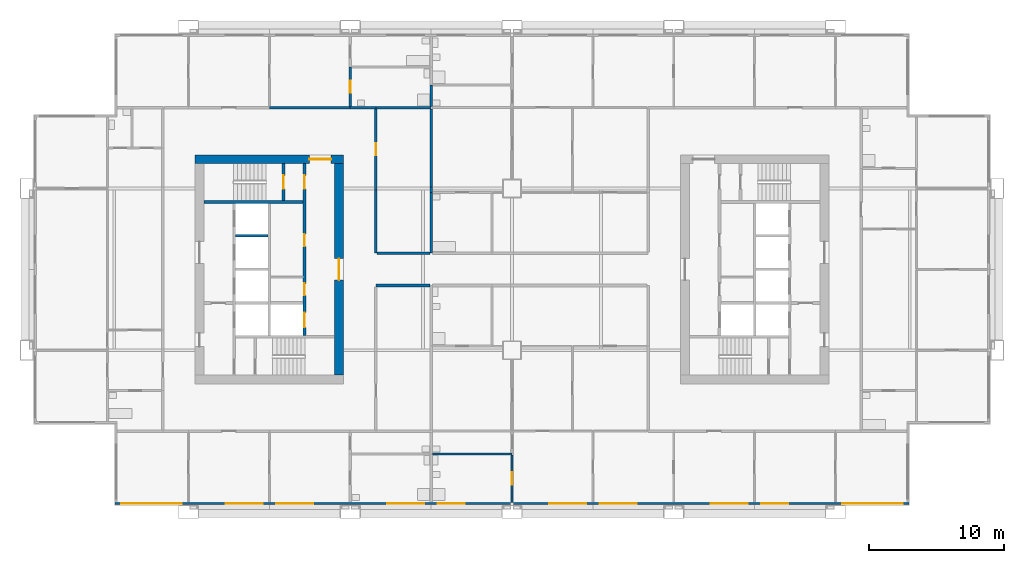
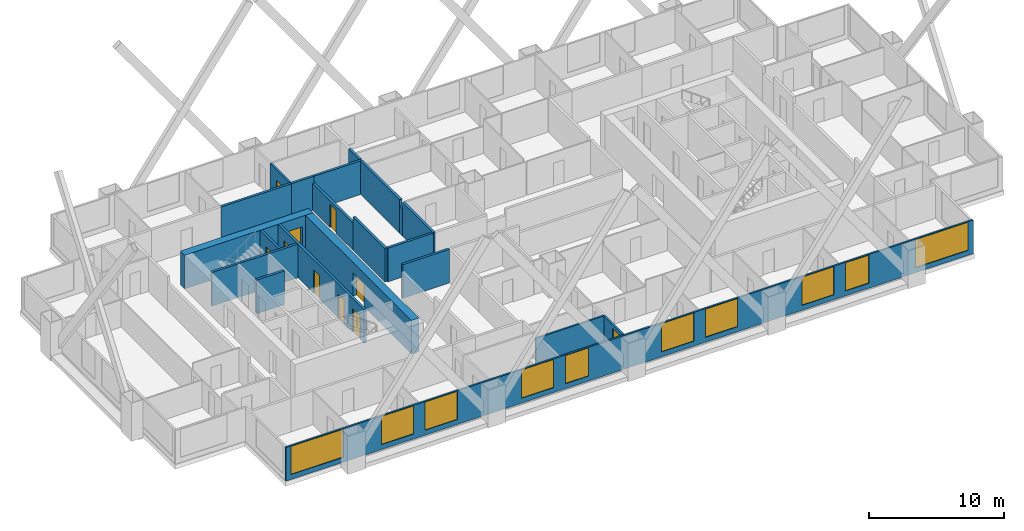
# One storey, part 4 of 11: 21 walls, 10 doors, 10 windows, 20 openings.
"""IFC4 building model written with IfcOpenShell, lengths in metres."""

from ifc_helpers import new_model, si_unit, direction, frame, frame_2d, origin, place, context, subcontext, project, spatial, rectangle, extrude, material, layer, layer_set, type_object, element, fill, save


model = new_model("IFC4")

# Units and contexts
model_context = context("Model", 3, precision=1e-05, world=origin(), true_north=direction((0.0, 1.0)))
body_context = subcontext(model_context, "Body", "Model", "MODEL_VIEW")
ifc_project = project(units=[si_unit("LENGTHUNIT", "METRE"), si_unit("AREAUNIT", "SQUARE_METRE"), si_unit("VOLUMEUNIT", "CUBIC_METRE"), si_unit("PLANEANGLEUNIT", "RADIAN"), si_unit("MASSUNIT", "GRAM", prefix="KILO")], contexts=[model_context])

# Site, building, storey
site_placement = place(None, origin())
site = spatial("IfcSite", under=ifc_project, at=site_placement, CompositionType="ELEMENT")
building_placement = place(site_placement, origin())
building = spatial("IfcBuilding", under=site, at=building_placement, Name="Kitamizu Gate Tower and Museum", CompositionType="ELEMENT")
storey_placement = place(building_placement, frame((0.0, 0.0, 113.85009765625)))
storey = spatial("IfcBuildingStorey", under=building, at=storey_placement, Name="L29", CompositionType="ELEMENT", Elevation=113.85009765625)

# Wall, opening, door
ifc_material_1 = material(Name="Concrete Fc60", Category="concrete")
ifc_layer_1 = layer(ifc_material_1, 0.64990234375)
ifc_layer_set_1 = layer_set([ifc_layer_1], Name="Concrete Fc60")
wall_type_1 = type_object("IfcWallType", Name="Core wall 650", PredefinedType="SHEAR", material=ifc_layer_set_1)
wall_1_placement = place(storey_placement, frame((12.5, 38.175048828125, 0.0), z_axis=(0.0, 0.0, 1.0), x_axis=(1.0, 0.0, 0.0)))
wall_1 = element("IfcWall", 1, at=wall_1_placement, inside=storey, type_object=wall_type_1, Name="Core wall WN", PredefinedType="SHEAR", context=body_context, shape_type="SweptSolid", body=[
    extrude(rectangle(XDim=11.0, YDim=0.64990234375, at=frame_2d((5.5, 0.0))), origin(), (0.0, 0.0, 1.0), 3.0498046875),
])
opening_1_placement = place(wall_1_placement, frame((8.47509765625, 0.0, 0.0)))
opening_1 = element("IfcOpeningElement", 2, at=opening_1_placement, cuts=wall_1, Name="Opening L29-060", PredefinedType="OPENING", context=body_context, shape_type="SweptSolid", body=[
    extrude(rectangle(XDim=1.60009765625, YDim=2.10009765625, at=frame_2d((0.800048828125, 1.050048828125))), frame((0.0, 0.3349609375, 0.0), z_axis=(0.0, -1.0, 0.0), x_axis=(1.0, 0.0, 0.0)), (0.0, 0.0, 1.0), 0.669921875),
])
ifc_material_2 = material(Name="Timber door set", Category="wood")
door_type_1 = type_object("IfcDoorType", Name="Entrance door 1600", OperationType="DOUBLE_DOOR_SINGLE_SWING", PredefinedType="DOOR", material=ifc_material_2)
door_1_placement = place(opening_1_placement, origin())
door_1 = element("IfcDoor", 3, at=door_1_placement, inside=storey, type_object=door_type_1, Name="Lobby door L29-060", OperationType="DOUBLE_DOOR_SINGLE_SWING", OverallHeight=2.10009765625, OverallWidth=1.60009765625, PredefinedType="DOOR", context=body_context, shape_type="SweptSolid", body=[
    extrude(rectangle(XDim=1.60009765625, YDim=2.10009765625, at=frame_2d((0.800048828125, 1.050048828125))), frame((0.0, 0.02490234375, 0.0), z_axis=(0.0, -1.0, 0.0), x_axis=(1.0, 0.0, 0.0)), (0.0, 0.0, 1.0), 0.050048828125),
])
fill(opening_1, door_1)

wall_2_placement = place(storey_placement, frame((23.175048828125, 22.14990234375, 0.0), z_axis=(0.0, 0.0, 1.0), x_axis=(0.0, 1.0, 0.0)))
wall_2 = element("IfcWall", 4, at=wall_2_placement, inside=storey, type_object=wall_type_1, Name="Core wall WARC", PredefinedType="SHEAR", context=body_context, shape_type="SweptSolid", body=[
    extrude(rectangle(XDim=15.7001953125, YDim=0.64990234375, at=frame_2d((7.85009765625, 0.0))), origin(), (0.0, 0.0, 1.0), 3.0498046875),
])
opening_2_placement = place(wall_2_placement, frame((7.050048828125, 0.0, 0.0)))
opening_2 = element("IfcOpeningElement", 5, at=opening_2_placement, cuts=wall_2, Name="Opening L29-061", PredefinedType="OPENING", context=body_context, shape_type="SweptSolid", body=[
    extrude(rectangle(XDim=1.60009765625, YDim=2.10009765625, at=frame_2d((0.800048828125, 1.050048828125))), frame((0.0, 0.3349609375, 0.0), z_axis=(0.0, -1.0, 0.0), x_axis=(1.0, 0.0, 0.0)), (0.0, 0.0, 1.0), 0.669921875),
])
door_2_placement = place(opening_2_placement, origin())
door_2 = element("IfcDoor", 6, at=door_2_placement, inside=storey, type_object=door_type_1, Name="Lobby door L29-061", OperationType="DOUBLE_DOOR_SINGLE_SWING", OverallHeight=2.10009765625, OverallWidth=1.60009765625, PredefinedType="DOOR", context=body_context, shape_type="SweptSolid", body=[
    extrude(rectangle(XDim=1.60009765625, YDim=2.10009765625, at=frame_2d((0.800048828125, 1.050048828125))), frame((0.0, 0.02490234375, 0.0), z_axis=(0.0, -1.0, 0.0), x_axis=(1.0, 0.0, 0.0)), (0.0, 0.0, 1.0), 0.050048828125),
])
fill(opening_2, door_2)

# Wall
ifc_material_3 = material(Name="Gypsum board on galvanised stud")
ifc_layer_2 = layer(ifc_material_3, 0.14990234375)
ifc_layer_set_2 = layer_set([ifc_layer_2], Name="Gypsum board on galvanised stud")
wall_type_2 = type_object("IfcWallType", Name="Partition 150", PredefinedType="PARTITIONING", material=ifc_layer_set_2)
wall_3_placement = place(storey_placement, frame((36.0, 16.320068359375, 0.0), z_axis=(0.0, 0.0, 1.0), x_axis=(-1.0, 0.0, 0.0)))
element("IfcWall", 7, at=wall_3_placement, inside=storey, type_object=wall_type_2, Name="Partition L29-040", PredefinedType="PARTITIONING", context=body_context, shape_type="SweptSolid", body=[
    extrude(rectangle(XDim=5.89990234375, YDim=0.14990234375, at=frame_2d((2.949951171875, 0.0))), origin(), (0.0, 0.0, 1.0), 2.449951171875),
])

# Wall, opening, door
wall_4_placement = place(storey_placement, frame((36.0, 12.719970703125, 0.0), z_axis=(0.0, 0.0, 1.0), x_axis=(0.0, 1.0, 0.0)))
wall_4 = element("IfcWall", 8, at=wall_4_placement, inside=storey, type_object=wall_type_2, Name="Partition L29-041", PredefinedType="PARTITIONING", context=body_context, shape_type="SweptSolid", body=[
    extrude(rectangle(XDim=3.525146484375, YDim=0.14990234375, at=frame_2d((1.7626953125, 0.0))), origin(), (0.0, 0.0, 1.0), 2.449951171875),
])
opening_3_placement = place(wall_4_placement, frame((1.3125, 0.0, 0.0)))
opening_3 = element("IfcOpeningElement", 9, at=opening_3_placement, cuts=wall_4, Name="Opening L29-022", PredefinedType="OPENING", context=body_context, shape_type="SweptSolid", body=[
    extrude(rectangle(XDim=0.89990234375, YDim=2.10009765625, at=frame_2d((0.449951171875, 1.050048828125))), frame((0.0, 0.0849609375, 0.0), z_axis=(0.0, -1.0, 0.0), x_axis=(1.0, 0.0, 0.0)), (0.0, 0.0, 1.0), 0.169921875),
])
ifc_material_4 = material(Name="Timber door set", Category="wood")
door_type_2 = type_object("IfcDoorType", Name="Bathroom door 900", OperationType="NOTDEFINED", PredefinedType="DOOR", material=ifc_material_4)
door_3_placement = place(opening_3_placement, origin())
door_3 = element("IfcDoor", 10, at=door_3_placement, inside=storey, type_object=door_type_2, Name="Bathroom door L29-022", OperationType="SINGLE_SWING_RIGHT", OverallHeight=2.10009765625, OverallWidth=0.89990234375, PredefinedType="DOOR", context=body_context, shape_type="SweptSolid", body=[
    extrude(rectangle(XDim=0.89990234375, YDim=2.10009765625, at=frame_2d((0.449951171875, 1.050048828125))), frame((0.0, 0.02490234375, 0.0), z_axis=(0.0, -1.0, 0.0), x_axis=(1.0, 0.0, 0.0)), (0.0, 0.0, 1.0), 0.050048828125),
])
fill(opening_3, door_3)

wall_5_placement = place(storey_placement, frame((24.0, 42.10009765625, 0.0), z_axis=(0.0, 0.0, 1.0), x_axis=(0.0, 1.0, 0.0)))
wall_5 = element("IfcWall", 11, at=wall_5_placement, inside=storey, type_object=wall_type_2, Name="Partition L29-092", PredefinedType="PARTITIONING", context=body_context, shape_type="SweptSolid", body=[
    extrude(rectangle(XDim=2.89990234375, YDim=0.14990234375, at=frame_2d((1.449951171875, 0.0))), origin(), (0.0, 0.0, 1.0), 3.0498046875),
])
opening_4_placement = place(wall_5_placement, frame((1.0, 0.0, 0.0)))
opening_4 = element("IfcOpeningElement", 12, at=opening_4_placement, cuts=wall_5, Name="Opening L29-037", PredefinedType="OPENING", context=body_context, shape_type="SweptSolid", body=[
    extrude(rectangle(XDim=0.89990234375, YDim=2.10009765625, at=frame_2d((0.449951171875, 1.050048828125))), frame((0.0, 0.0849609375, 0.0), z_axis=(0.0, -1.0, 0.0), x_axis=(1.0, 0.0, 0.0)), (0.0, 0.0, 1.0), 0.169921875),
])
door_4_placement = place(opening_4_placement, frame((0.89990234375, 0.0, 0.0), x_axis=(-1.0, 0.0, 0.0)))
door_4 = element("IfcDoor", 13, at=door_4_placement, inside=storey, type_object=door_type_2, Name="Bathroom door L29-037", OperationType="SINGLE_SWING_LEFT", OverallHeight=2.10009765625, OverallWidth=0.89990234375, PredefinedType="DOOR", context=body_context, shape_type="SweptSolid", body=[
    extrude(rectangle(XDim=0.89990234375, YDim=2.10009765625, at=frame_2d((0.449951171875, 1.050048828125))), frame((0.0, 0.02490234375, 0.0), z_axis=(0.0, -1.0, 0.0), x_axis=(1.0, 0.0, 0.0)), (0.0, 0.0, 1.0), 0.050048828125),
])
fill(opening_4, door_4)

# Walls
ifc_material_5 = material(Name="Gypsum board on galvanised stud")
ifc_layer_3 = layer(ifc_material_5, 0.199951171875)
ifc_layer_set_3 = layer_set([ifc_layer_3], Name="Gypsum board on galvanised stud")
wall_type_3 = type_object("IfcWallType", Name="Partition 200", PredefinedType="PARTITIONING", material=ifc_layer_set_3)
wall_6_placement = place(storey_placement, frame((29.89990234375, 28.800048828125, 0.0), z_axis=(0.0, 0.0, 1.0), x_axis=(-1.0, 0.0, 0.0)))
element("IfcWall", 14, at=wall_6_placement, inside=storey, type_object=wall_type_3, Name="Partition L29-016", PredefinedType="PARTITIONING", context=body_context, shape_type="SweptSolid", body=[
    extrude(rectangle(XDim=4.0, YDim=0.199951171875, at=frame_2d((2.0, 0.0))), origin(), (0.0, 0.0, 1.0), 3.0498046875),
])
wall_7_placement = place(storey_placement, frame((18.0, 42.0, 0.0), z_axis=(0.0, 0.0, 1.0), x_axis=(1.0, 0.0, 0.0)))
element("IfcWall", 15, at=wall_7_placement, inside=storey, type_object=wall_type_3, Name="Partition L29-094", PredefinedType="PARTITIONING", context=body_context, shape_type="SweptSolid", body=[
    extrude(rectangle(XDim=6.0, YDim=0.199951171875, at=frame_2d((3.0, 0.0))), origin(), (0.0, 0.0, 1.0), 3.0498046875),
])
wall_8_placement = place(storey_placement, frame((25.89990234375, 42.0, 0.0), z_axis=(0.0, 0.0, 1.0), x_axis=(1.0, 0.0, 0.0)))
element("IfcWall", 16, at=wall_8_placement, inside=storey, type_object=wall_type_3, Name="Partition L29-096", PredefinedType="PARTITIONING", context=body_context, shape_type="SweptSolid", body=[
    extrude(rectangle(XDim=4.10009765625, YDim=0.199951171875, at=frame_2d((2.050048828125, 0.0))), origin(), (0.0, 0.0, 1.0), 3.0498046875),
])
wall_9_placement = place(storey_placement, frame((30.0, 42.10009765625, 0.0), z_axis=(0.0, 0.0, 1.0), x_axis=(0.0, 1.0, 0.0)))
element("IfcWall", 17, at=wall_9_placement, inside=storey, type_object=wall_type_3, Name="Partition L29-098", PredefinedType="PARTITIONING", context=body_context, shape_type="SweptSolid", body=[
    extrude(rectangle(XDim=1.579833984375, YDim=0.199951171875, at=frame_2d((0.7900390625, 0.0))), origin(), (0.0, 0.0, 1.0), 3.0498046875),
])
wall_10_placement = place(storey_placement, frame((24.0, 42.0, 0.0), z_axis=(0.0, 0.0, 1.0), x_axis=(1.0, 0.0, 0.0)))
element("IfcWall", 18, at=wall_10_placement, inside=storey, type_object=wall_type_3, Name="Partition L29-099", PredefinedType="PARTITIONING", context=body_context, shape_type="SweptSolid", body=[
    extrude(rectangle(XDim=1.89990234375, YDim=0.199951171875, at=frame_2d((0.949951171875, 0.0))), origin(), (0.0, 0.0, 1.0), 3.0498046875),
])
wall_11_placement = place(storey_placement, frame((30.0, 35.699951171875, 0.0), z_axis=(0.0, 0.0, 1.0), x_axis=(0.0, 1.0, 0.0)))
element("IfcWall", 19, at=wall_11_placement, inside=storey, type_object=wall_type_3, Name="Partition L29-101", PredefinedType="PARTITIONING", context=body_context, shape_type="SweptSolid", body=[
    extrude(rectangle(XDim=0.400146484375, YDim=0.199951171875, at=frame_2d((0.2001953125, 0.0))), origin(), (0.0, 0.0, 1.0), 2.449951171875),
])
wall_12_placement = place(storey_placement, frame((30.0, 36.10009765625, 0.0), z_axis=(0.0, 0.0, 1.0), x_axis=(0.0, 1.0, 0.0)))
element("IfcWall", 20, at=wall_12_placement, inside=storey, type_object=wall_type_3, Name="Partition L29-102", PredefinedType="PARTITIONING", context=body_context, shape_type="SweptSolid", body=[
    extrude(rectangle(XDim=5.7998046875, YDim=0.199951171875, at=frame_2d((2.89990234375, 0.0))), origin(), (0.0, 0.0, 1.0), 3.0498046875),
])
wall_13_placement = place(storey_placement, frame((30.0, 31.199951171875, 0.0), z_axis=(0.0, 0.0, 1.0), x_axis=(0.0, 1.0, 0.0)))
element("IfcWall", 21, at=wall_13_placement, inside=storey, type_object=wall_type_3, Name="Partition L29-103", PredefinedType="PARTITIONING", context=body_context, shape_type="SweptSolid", body=[
    extrude(rectangle(XDim=4.5, YDim=0.199951171875, at=frame_2d((2.25, 0.0))), origin(), (0.0, 0.0, 1.0), 3.0498046875),
])

# Wall, opening, door
wall_14_placement = place(storey_placement, frame((25.89990234375, 41.89990234375, 0.0), z_axis=(0.0, 0.0, 1.0), x_axis=(0.0, -1.0, 0.0)))
wall_14 = element("IfcWall", 22, at=wall_14_placement, inside=storey, type_object=wall_type_3, Name="Partition L29-104", PredefinedType="PARTITIONING", context=body_context, shape_type="SweptSolid", body=[
    extrude(rectangle(XDim=6.0, YDim=0.199951171875, at=frame_2d((3.0, 0.0))), origin(), (0.0, 0.0, 1.0), 2.449951171875),
])
opening_5_placement = place(wall_14_placement, frame((2.550048828125, 0.0, 0.0)))
opening_5 = element("IfcOpeningElement", 23, at=opening_5_placement, cuts=wall_14, Name="Opening L29-052", PredefinedType="OPENING", context=body_context, shape_type="SweptSolid", body=[
    extrude(rectangle(XDim=0.89990234375, YDim=2.10009765625, at=frame_2d((0.449951171875, 1.050048828125))), frame((0.0, 0.10986328125, 0.0), z_axis=(0.0, -1.0, 0.0), x_axis=(1.0, 0.0, 0.0)), (0.0, 0.0, 1.0), 0.219970703125),
])
ifc_material_6 = material(Name="Timber door set", Category="wood")
door_type_3 = type_object("IfcDoorType", Name="Room door 900", OperationType="NOTDEFINED", PredefinedType="DOOR", material=ifc_material_6)
door_5_placement = place(opening_5_placement, origin())
door_5 = element("IfcDoor", 24, at=door_5_placement, inside=storey, type_object=door_type_3, Name="Door L29-052", OperationType="SINGLE_SWING_LEFT", OverallHeight=2.10009765625, OverallWidth=0.89990234375, PredefinedType="DOOR", context=body_context, shape_type="SweptSolid", body=[
    extrude(rectangle(XDim=0.89990234375, YDim=2.10009765625, at=frame_2d((0.449951171875, 1.050048828125))), frame((0.0, 0.02490234375, 0.0), z_axis=(0.0, -1.0, 0.0), x_axis=(1.0, 0.0, 0.0)), (0.0, 0.0, 1.0), 0.050048828125),
])
fill(opening_5, door_5)

# Walls
wall_15_placement = place(storey_placement, frame((25.89990234375, 35.89990234375, 0.0), z_axis=(0.0, 0.0, 1.0), x_axis=(0.0, -1.0, 0.0)))
element("IfcWall", 25, at=wall_15_placement, inside=storey, type_object=wall_type_3, Name="Partition L29-105", PredefinedType="PARTITIONING", context=body_context, shape_type="SweptSolid", body=[
    extrude(rectangle(XDim=4.699951171875, YDim=0.199951171875, at=frame_2d((2.35009765625, 0.0))), origin(), (0.0, 0.0, 1.0), 3.0498046875),
])
wall_16_placement = place(storey_placement, frame((26.0, 31.199951171875, 0.0), z_axis=(0.0, 0.0, 1.0), x_axis=(1.0, 0.0, 0.0)))
element("IfcWall", 26, at=wall_16_placement, inside=storey, type_object=wall_type_3, Name="Partition L29-106", PredefinedType="PARTITIONING", context=body_context, shape_type="SweptSolid", body=[
    extrude(rectangle(XDim=3.89990234375, YDim=0.199951171875, at=frame_2d((1.949951171875, 0.0))), origin(), (0.0, 0.0, 1.0), 3.0498046875),
])

# Wall, openings, doors
ifc_material_7 = material(Name="Concrete Fc42", Category="concrete")
ifc_layer_4 = layer(ifc_material_7, 0.199951171875)
ifc_layer_set_4 = layer_set([ifc_layer_4], Name="Concrete Fc42")
wall_type_4 = type_object("IfcWallType", Name="Shaft wall 200", PredefinedType="SOLIDWALL", material=ifc_layer_set_4)
wall_17_placement = place(storey_placement, frame((20.60009765625, 25.10009765625, 0.0), z_axis=(0.0, 0.0, 1.0), x_axis=(0.0, 1.0, 0.0)))
wall_17 = element("IfcWall", 27, at=wall_17_placement, inside=storey, type_object=wall_type_4, Name="Shaft wall WEAST", PredefinedType="SOLIDWALL", context=body_context, shape_type="SweptSolid", body=[
    extrude(rectangle(XDim=12.75, YDim=0.199951171875, at=frame_2d((6.375, 0.0))), origin(), (0.0, 0.0, 1.0), 3.0498046875),
])
opening_6_placement = place(wall_17_placement, frame((0.60009765625, 0.0, 0.0)))
opening_6 = element("IfcOpeningElement", 28, at=opening_6_placement, cuts=wall_17, Name="Opening LD", PredefinedType="OPENING", context=body_context, shape_type="SweptSolid", body=[
    extrude(rectangle(XDim=1.10009765625, YDim=2.10009765625, at=frame_2d((0.550048828125, 1.050048828125))), frame((0.0, 0.10986328125, 0.0), z_axis=(0.0, -1.0, 0.0), x_axis=(1.0, 0.0, 0.0)), (0.0, 0.0, 1.0), 0.219970703125),
])
opening_7_placement = place(wall_17_placement, frame((10.875, 0.0, 0.0)))
opening_7 = element("IfcOpeningElement", 29, at=opening_7_placement, cuts=wall_17, Name="Opening L29-055", PredefinedType="OPENING", context=body_context, shape_type="SweptSolid", body=[
    extrude(rectangle(XDim=1.0, YDim=2.10009765625, at=frame_2d((0.5, 1.050048828125))), frame((0.0, 0.10986328125, 0.0), z_axis=(0.0, -1.0, 0.0), x_axis=(1.0, 0.0, 0.0)), (0.0, 0.0, 1.0), 0.219970703125),
])
opening_8_placement = place(wall_17_placement, frame((2.96240234375, 0.0, 0.0)))
opening_8 = element("IfcOpeningElement", 30, at=opening_8_placement, cuts=wall_17, Name="Opening L29-062", PredefinedType="OPENING", context=body_context, shape_type="SweptSolid", body=[
    extrude(rectangle(XDim=0.89990234375, YDim=2.10009765625, at=frame_2d((0.449951171875, 1.050048828125))), frame((0.0, 0.10986328125, 0.0), z_axis=(0.0, -1.0, 0.0), x_axis=(1.0, 0.0, 0.0)), (0.0, 0.0, 1.0), 0.219970703125),
])
opening_9_placement = place(wall_17_placement, frame((6.612548828125, 0.0, 0.0)))
opening_9 = element("IfcOpeningElement", 31, at=opening_9_placement, cuts=wall_17, Name="Opening L29-063", PredefinedType="OPENING", context=body_context, shape_type="SweptSolid", body=[
    extrude(rectangle(XDim=0.89990234375, YDim=2.10009765625, at=frame_2d((0.449951171875, 1.050048828125))), frame((0.0, 0.10986328125, 0.0), z_axis=(0.0, -1.0, 0.0), x_axis=(1.0, 0.0, 0.0)), (0.0, 0.0, 1.0), 0.219970703125),
])
ifc_material_8 = material(Name="Hollow metal door set")
door_type_4 = type_object("IfcDoorType", Name="Fire door 1000", OperationType="NOTDEFINED", PredefinedType="DOOR", material=ifc_material_8)
door_6_placement = place(opening_7_placement, origin())
door_6 = element("IfcDoor", 32, at=door_6_placement, inside=storey, type_object=door_type_4, Name="Stair lobby door L29-055", OperationType="SINGLE_SWING_RIGHT", OverallHeight=2.10009765625, OverallWidth=1.0, PredefinedType="DOOR", context=body_context, shape_type="SweptSolid", body=[
    extrude(rectangle(XDim=1.0, YDim=2.10009765625, at=frame_2d((0.5, 1.050048828125))), frame((0.0, 0.02490234375, 0.0), z_axis=(0.0, -1.0, 0.0), x_axis=(1.0, 0.0, 0.0)), (0.0, 0.0, 1.0), 0.050048828125),
])
fill(opening_7, door_6)
ifc_material_9 = material(Name="Hollow metal door set")
door_type_5 = type_object("IfcDoorType", Name="Landing door 1100", OperationType="SLIDING_TO_LEFT", PredefinedType="DOOR", material=ifc_material_9)
door_7_placement = place(opening_6_placement, origin())
door_7 = element("IfcDoor", 33, at=door_7_placement, inside=storey, type_object=door_type_5, Name="Landing door WSV1", OperationType="SLIDING_TO_LEFT", OverallHeight=2.10009765625, OverallWidth=1.10009765625, PredefinedType="DOOR", context=body_context, shape_type="SweptSolid", body=[
    extrude(rectangle(XDim=1.10009765625, YDim=2.10009765625, at=frame_2d((0.550048828125, 1.050048828125))), frame((0.0, 0.02490234375, 0.0), z_axis=(0.0, -1.0, 0.0), x_axis=(1.0, 0.0, 0.0)), (0.0, 0.0, 1.0), 0.050048828125),
])
fill(opening_6, door_7)
ifc_material_10 = material(Name="Timber door set", Category="wood")
door_type_6 = type_object("IfcDoorType", Name="Service door 900", OperationType="NOTDEFINED", PredefinedType="DOOR", material=ifc_material_10)
door_8_placement = place(opening_8_placement, origin())
door_8 = element("IfcDoor", 34, at=door_8_placement, inside=storey, type_object=door_type_6, Name="Service door L29-062", OperationType="SINGLE_SWING_RIGHT", OverallHeight=2.10009765625, OverallWidth=0.89990234375, PredefinedType="DOOR", context=body_context, shape_type="SweptSolid", body=[
    extrude(rectangle(XDim=0.89990234375, YDim=2.10009765625, at=frame_2d((0.449951171875, 1.050048828125))), frame((0.0, 0.02490234375, 0.0), z_axis=(0.0, -1.0, 0.0), x_axis=(1.0, 0.0, 0.0)), (0.0, 0.0, 1.0), 0.050048828125),
])
fill(opening_8, door_8)
door_9_placement = place(opening_9_placement, origin())
door_9 = element("IfcDoor", 35, at=door_9_placement, inside=storey, type_object=door_type_6, Name="Service door L29-063", OperationType="SINGLE_SWING_LEFT", OverallHeight=2.10009765625, OverallWidth=0.89990234375, PredefinedType="DOOR", context=body_context, shape_type="SweptSolid", body=[
    extrude(rectangle(XDim=0.89990234375, YDim=2.10009765625, at=frame_2d((0.449951171875, 1.050048828125))), frame((0.0, 0.02490234375, 0.0), z_axis=(0.0, -1.0, 0.0), x_axis=(1.0, 0.0, 0.0)), (0.0, 0.0, 1.0), 0.050048828125),
])
fill(opening_9, door_9)

# Wall
wall_18_placement = place(storey_placement, frame((13.14990234375, 35.0, 0.0), z_axis=(0.0, 0.0, 1.0), x_axis=(1.0, 0.0, 0.0)))
element("IfcWall", 36, at=wall_18_placement, inside=storey, type_object=wall_type_4, Name="Shaft wall WNB", PredefinedType="SOLIDWALL", context=body_context, shape_type="SweptSolid", body=[
    extrude(rectangle(XDim=7.35009765625, YDim=0.199951171875, at=frame_2d((3.675048828125, 0.0))), origin(), (0.0, 0.0, 1.0), 3.0498046875),
])

# Wall, opening, door
wall_19_placement = place(storey_placement, frame((19.050048828125, 35.10009765625, 0.0), z_axis=(0.0, 0.0, 1.0), x_axis=(0.0, 1.0, 0.0)))
wall_19 = element("IfcWall", 37, at=wall_19_placement, inside=storey, type_object=wall_type_4, Name="Shaft wall WNZ", PredefinedType="SOLIDWALL", context=body_context, shape_type="SweptSolid", body=[
    extrude(rectangle(XDim=2.75, YDim=0.199951171875, at=frame_2d((1.375, 0.0))), origin(), (0.0, 0.0, 1.0), 3.0498046875),
])
opening_10_placement = place(wall_19_placement, frame((0.875, 0.0, 0.0)))
opening_10 = element("IfcOpeningElement", 38, at=opening_10_placement, cuts=wall_19, Name="Opening L29-056", PredefinedType="OPENING", context=body_context, shape_type="SweptSolid", body=[
    extrude(rectangle(XDim=1.0, YDim=2.10009765625, at=frame_2d((0.5, 1.050048828125))), frame((0.0, 0.10986328125, 0.0), z_axis=(0.0, -1.0, 0.0), x_axis=(1.0, 0.0, 0.0)), (0.0, 0.0, 1.0), 0.219970703125),
])
door_10_placement = place(opening_10_placement, origin())
door_10 = element("IfcDoor", 39, at=door_10_placement, inside=storey, type_object=door_type_4, Name="Stair door L29-056", OperationType="SINGLE_SWING_LEFT", OverallHeight=2.10009765625, OverallWidth=1.0, PredefinedType="DOOR", context=body_context, shape_type="SweptSolid", body=[
    extrude(rectangle(XDim=1.0, YDim=2.10009765625, at=frame_2d((0.5, 1.050048828125))), frame((0.0, 0.02490234375, 0.0), z_axis=(0.0, -1.0, 0.0), x_axis=(1.0, 0.0, 0.0)), (0.0, 0.0, 1.0), 0.050048828125),
])
fill(opening_10, door_10)

# Wall
wall_20_placement = place(storey_placement, frame((15.5, 32.5, 0.0), z_axis=(0.0, 0.0, 1.0), x_axis=(1.0, 0.0, 0.0)))
element("IfcWall", 40, at=wall_20_placement, inside=storey, type_object=wall_type_4, Name="Shaft wall WDVW2", PredefinedType="SOLIDWALL", context=body_context, shape_type="SweptSolid", body=[
    extrude(rectangle(XDim=2.39990234375, YDim=0.199951171875, at=frame_2d((1.199951171875, 0.0))), origin(), (0.0, 0.0, 1.0), 3.0498046875),
])

# Wall, openings, windows
ifc_material_11 = material(Name="Bronze anodised aluminium frame with insulated spandrel and tinted glass", Category="aluminium")
ifc_layer_5 = layer(ifc_material_11, 0.14990234375)
ifc_layer_set_5 = layer_set([ifc_layer_5], Name="Bronze anodised aluminium frame with insulated spandrel and tinted glass")
wall_type_5 = type_object("IfcWallType", Name="WINDOW WALL 150 BRONZE FRAME EI 30", PredefinedType="ELEMENTEDWALL", material=ifc_layer_set_5)
wall_21_placement = place(storey_placement, frame((6.56005859375, 12.635009765625, 0.0), z_axis=(0.0, 0.0, 1.0), x_axis=(1.0, 0.0, 0.0)))
wall_21 = element("IfcWall", 41, at=wall_21_placement, inside=storey, type_object=wall_type_5, Name="Window wall south L29", PredefinedType="ELEMENTEDWALL", context=body_context, shape_type="SweptSolid", body=[
    extrude(rectangle(XDim=58.8798828125, YDim=0.14990234375, at=frame_2d((29.43994140625, 0.0))), origin(), (0.0, 0.0, 1.0), 3.0498046875),
])
opening_11_placement = place(wall_21_placement, frame((0.43994140625, 0.0, 0.449951171875)))
opening_11 = element("IfcOpeningElement", 42, at=opening_11_placement, cuts=wall_21, Name="Opening W15", PredefinedType="OPENING", context=body_context, shape_type="SweptSolid", body=[
    extrude(rectangle(XDim=4.5, YDim=2.550048828125, at=frame_2d((2.25, 1.27490234375))), frame((0.0, 0.0849609375, 0.0), z_axis=(0.0, -1.0, 0.0), x_axis=(1.0, 0.0, 0.0)), (0.0, 0.0, 1.0), 0.169921875),
])
opening_12_placement = place(wall_21_placement, frame((8.18994140625, 0.0, 0.449951171875)))
opening_12 = element("IfcOpeningElement", 43, at=opening_12_placement, cuts=wall_21, Name="Opening W32", PredefinedType="OPENING", context=body_context, shape_type="SweptSolid", body=[
    extrude(rectangle(XDim=2.75, YDim=2.550048828125, at=frame_2d((1.375, 1.27490234375))), frame((0.0, 0.0849609375, 0.0), z_axis=(0.0, -1.0, 0.0), x_axis=(1.0, 0.0, 0.0)), (0.0, 0.0, 1.0), 0.169921875),
])
opening_13_placement = place(wall_21_placement, frame((11.93994140625, 0.0, 0.449951171875)))
opening_13 = element("IfcOpeningElement", 44, at=opening_13_placement, cuts=wall_21, Name="Opening W32", PredefinedType="OPENING", context=body_context, shape_type="SweptSolid", body=[
    extrude(rectangle(XDim=2.75, YDim=2.550048828125, at=frame_2d((1.375, 1.27490234375))), frame((0.0, 0.0849609375, 0.0), z_axis=(0.0, -1.0, 0.0), x_axis=(1.0, 0.0, 0.0)), (0.0, 0.0, 1.0), 0.169921875),
])
opening_14_placement = place(wall_21_placement, frame((20.18994140625, 0.0, 0.449951171875)))
opening_14 = element("IfcOpeningElement", 45, at=opening_14_placement, cuts=wall_21, Name="Opening W32", PredefinedType="OPENING", context=body_context, shape_type="SweptSolid", body=[
    extrude(rectangle(XDim=2.75, YDim=2.550048828125, at=frame_2d((1.375, 1.27490234375))), frame((0.0, 0.0849609375, 0.0), z_axis=(0.0, -1.0, 0.0), x_axis=(1.0, 0.0, 0.0)), (0.0, 0.0, 1.0), 0.169921875),
])
opening_15_placement = place(wall_21_placement, frame((23.93994140625, 0.0, 0.449951171875)))
opening_15 = element("IfcOpeningElement", 46, at=opening_15_placement, cuts=wall_21, Name="Opening W2", PredefinedType="OPENING", context=body_context, shape_type="SweptSolid", body=[
    extrude(rectangle(XDim=2.0, YDim=2.550048828125, at=frame_2d((1.0, 1.27490234375))), frame((0.0, 0.0849609375, 0.0), z_axis=(0.0, -1.0, 0.0), x_axis=(1.0, 0.0, 0.0)), (0.0, 0.0, 1.0), 0.169921875),
])
opening_16_placement = place(wall_21_placement, frame((32.18994140625, 0.0, 0.449951171875)))
opening_16 = element("IfcOpeningElement", 47, at=opening_16_placement, cuts=wall_21, Name="Opening W32", PredefinedType="OPENING", context=body_context, shape_type="SweptSolid", body=[
    extrude(rectangle(XDim=2.75, YDim=2.550048828125, at=frame_2d((1.375, 1.27490234375))), frame((0.0, 0.0849609375, 0.0), z_axis=(0.0, -1.0, 0.0), x_axis=(1.0, 0.0, 0.0)), (0.0, 0.0, 1.0), 0.169921875),
])
opening_17_placement = place(wall_21_placement, frame((35.93994140625, 0.0, 0.449951171875)))
opening_17 = element("IfcOpeningElement", 48, at=opening_17_placement, cuts=wall_21, Name="Opening W32", PredefinedType="OPENING", context=body_context, shape_type="SweptSolid", body=[
    extrude(rectangle(XDim=2.75, YDim=2.550048828125, at=frame_2d((1.375, 1.27490234375))), frame((0.0, 0.0849609375, 0.0), z_axis=(0.0, -1.0, 0.0), x_axis=(1.0, 0.0, 0.0)), (0.0, 0.0, 1.0), 0.169921875),
])
opening_18_placement = place(wall_21_placement, frame((44.18994140625, 0.0, 0.449951171875)))
opening_18 = element("IfcOpeningElement", 49, at=opening_18_placement, cuts=wall_21, Name="Opening W32", PredefinedType="OPENING", context=body_context, shape_type="SweptSolid", body=[
    extrude(rectangle(XDim=2.75, YDim=2.550048828125, at=frame_2d((1.375, 1.27490234375))), frame((0.0, 0.0849609375, 0.0), z_axis=(0.0, -1.0, 0.0), x_axis=(1.0, 0.0, 0.0)), (0.0, 0.0, 1.0), 0.169921875),
])
opening_19_placement = place(wall_21_placement, frame((47.93994140625, 0.0, 0.449951171875)))
opening_19 = element("IfcOpeningElement", 50, at=opening_19_placement, cuts=wall_21, Name="Opening W2", PredefinedType="OPENING", context=body_context, shape_type="SweptSolid", body=[
    extrude(rectangle(XDim=2.0, YDim=2.550048828125, at=frame_2d((1.0, 1.27490234375))), frame((0.0, 0.0849609375, 0.0), z_axis=(0.0, -1.0, 0.0), x_axis=(1.0, 0.0, 0.0)), (0.0, 0.0, 1.0), 0.169921875),
])
opening_20_placement = place(wall_21_placement, frame((53.93994140625, 0.0, 0.449951171875)))
opening_20 = element("IfcOpeningElement", 51, at=opening_20_placement, cuts=wall_21, Name="Opening W15", PredefinedType="OPENING", context=body_context, shape_type="SweptSolid", body=[
    extrude(rectangle(XDim=4.5, YDim=2.550048828125, at=frame_2d((2.25, 1.27490234375))), frame((0.0, 0.0849609375, 0.0), z_axis=(0.0, -1.0, 0.0), x_axis=(1.0, 0.0, 0.0)), (0.0, 0.0, 1.0), 0.169921875),
])
ifc_material_12 = material(Name="Bronze anodised aluminium frame, tinted triple glazing", Category="aluminium")
window_type_1 = type_object("IfcWindowType", Name="WINDOW 2000 x 2550 SILL 450", PartitioningType="SINGLE_PANEL", PredefinedType="WINDOW", material=ifc_material_12)
window_1_placement = place(opening_15_placement, origin())
window_1 = element("IfcWindow", 52, at=window_1_placement, inside=storey, type_object=window_type_1, Name="Window W2 L29", OverallHeight=2.550048828125, OverallWidth=2.0, PartitioningType="SINGLE_PANEL", PredefinedType="WINDOW", context=body_context, shape_type="SweptSolid", body=[
    extrude(rectangle(XDim=2.0, YDim=2.550048828125, at=frame_2d((1.0, 1.27490234375))), frame((0.0, 0.030029296875, 0.0), z_axis=(0.0, -1.0, 0.0), x_axis=(1.0, 0.0, 0.0)), (0.0, 0.0, 1.0), 0.06005859375),
])
fill(opening_15, window_1)
window_2_placement = place(opening_19_placement, origin())
window_2 = element("IfcWindow", 53, at=window_2_placement, inside=storey, type_object=window_type_1, Name="Window W2 L29", OverallHeight=2.550048828125, OverallWidth=2.0, PartitioningType="SINGLE_PANEL", PredefinedType="WINDOW", context=body_context, shape_type="SweptSolid", body=[
    extrude(rectangle(XDim=2.0, YDim=2.550048828125, at=frame_2d((1.0, 1.27490234375))), frame((0.0, 0.030029296875, 0.0), z_axis=(0.0, -1.0, 0.0), x_axis=(1.0, 0.0, 0.0)), (0.0, 0.0, 1.0), 0.06005859375),
])
fill(opening_19, window_2)
ifc_material_13 = material(Name="Bronze anodised aluminium frame, tinted triple glazing", Category="aluminium")
window_type_2 = type_object("IfcWindowType", Name="WINDOW 2750 x 2550 SILL 450", PartitioningType="SINGLE_PANEL", PredefinedType="WINDOW", material=ifc_material_13)
window_3_placement = place(opening_12_placement, origin())
window_3 = element("IfcWindow", 54, at=window_3_placement, inside=storey, type_object=window_type_2, Name="Window W32 L29", OverallHeight=2.550048828125, OverallWidth=2.75, PartitioningType="SINGLE_PANEL", PredefinedType="WINDOW", context=body_context, shape_type="SweptSolid", body=[
    extrude(rectangle(XDim=2.75, YDim=2.550048828125, at=frame_2d((1.375, 1.27490234375))), frame((0.0, 0.030029296875, 0.0), z_axis=(0.0, -1.0, 0.0), x_axis=(1.0, 0.0, 0.0)), (0.0, 0.0, 1.0), 0.06005859375),
])
fill(opening_12, window_3)
window_4_placement = place(opening_13_placement, origin())
window_4 = element("IfcWindow", 55, at=window_4_placement, inside=storey, type_object=window_type_2, Name="Window W32 L29", OverallHeight=2.550048828125, OverallWidth=2.75, PartitioningType="SINGLE_PANEL", PredefinedType="WINDOW", context=body_context, shape_type="SweptSolid", body=[
    extrude(rectangle(XDim=2.75, YDim=2.550048828125, at=frame_2d((1.375, 1.27490234375))), frame((0.0, 0.030029296875, 0.0), z_axis=(0.0, -1.0, 0.0), x_axis=(1.0, 0.0, 0.0)), (0.0, 0.0, 1.0), 0.06005859375),
])
fill(opening_13, window_4)
window_5_placement = place(opening_14_placement, origin())
window_5 = element("IfcWindow", 56, at=window_5_placement, inside=storey, type_object=window_type_2, Name="Window W32 L29", OverallHeight=2.550048828125, OverallWidth=2.75, PartitioningType="SINGLE_PANEL", PredefinedType="WINDOW", context=body_context, shape_type="SweptSolid", body=[
    extrude(rectangle(XDim=2.75, YDim=2.550048828125, at=frame_2d((1.375, 1.27490234375))), frame((0.0, 0.030029296875, 0.0), z_axis=(0.0, -1.0, 0.0), x_axis=(1.0, 0.0, 0.0)), (0.0, 0.0, 1.0), 0.06005859375),
])
fill(opening_14, window_5)
window_6_placement = place(opening_16_placement, origin())
window_6 = element("IfcWindow", 57, at=window_6_placement, inside=storey, type_object=window_type_2, Name="Window W32 L29", OverallHeight=2.550048828125, OverallWidth=2.75, PartitioningType="SINGLE_PANEL", PredefinedType="WINDOW", context=body_context, shape_type="SweptSolid", body=[
    extrude(rectangle(XDim=2.75, YDim=2.550048828125, at=frame_2d((1.375, 1.27490234375))), frame((0.0, 0.030029296875, 0.0), z_axis=(0.0, -1.0, 0.0), x_axis=(1.0, 0.0, 0.0)), (0.0, 0.0, 1.0), 0.06005859375),
])
fill(opening_16, window_6)
window_7_placement = place(opening_17_placement, origin())
window_7 = element("IfcWindow", 58, at=window_7_placement, inside=storey, type_object=window_type_2, Name="Window W32 L29", OverallHeight=2.550048828125, OverallWidth=2.75, PartitioningType="SINGLE_PANEL", PredefinedType="WINDOW", context=body_context, shape_type="SweptSolid", body=[
    extrude(rectangle(XDim=2.75, YDim=2.550048828125, at=frame_2d((1.375, 1.27490234375))), frame((0.0, 0.030029296875, 0.0), z_axis=(0.0, -1.0, 0.0), x_axis=(1.0, 0.0, 0.0)), (0.0, 0.0, 1.0), 0.06005859375),
])
fill(opening_17, window_7)
window_8_placement = place(opening_18_placement, origin())
window_8 = element("IfcWindow", 59, at=window_8_placement, inside=storey, type_object=window_type_2, Name="Window W32 L29", OverallHeight=2.550048828125, OverallWidth=2.75, PartitioningType="SINGLE_PANEL", PredefinedType="WINDOW", context=body_context, shape_type="SweptSolid", body=[
    extrude(rectangle(XDim=2.75, YDim=2.550048828125, at=frame_2d((1.375, 1.27490234375))), frame((0.0, 0.030029296875, 0.0), z_axis=(0.0, -1.0, 0.0), x_axis=(1.0, 0.0, 0.0)), (0.0, 0.0, 1.0), 0.06005859375),
])
fill(opening_18, window_8)
ifc_material_14 = material(Name="Bronze anodised aluminium frame, tinted triple glazing", Category="aluminium")
window_type_3 = type_object("IfcWindowType", Name="WINDOW 4500 x 2550 SILL 450", PartitioningType="SINGLE_PANEL", PredefinedType="WINDOW", material=ifc_material_14)
window_9_placement = place(opening_11_placement, origin())
window_9 = element("IfcWindow", 60, at=window_9_placement, inside=storey, type_object=window_type_3, Name="Window W15 L29", OverallHeight=2.550048828125, OverallWidth=4.5, PartitioningType="SINGLE_PANEL", PredefinedType="WINDOW", context=body_context, shape_type="SweptSolid", body=[
    extrude(rectangle(XDim=4.5, YDim=2.550048828125, at=frame_2d((2.25, 1.27490234375))), frame((0.0, 0.030029296875, 0.0), z_axis=(0.0, -1.0, 0.0), x_axis=(1.0, 0.0, 0.0)), (0.0, 0.0, 1.0), 0.06005859375),
])
fill(opening_11, window_9)
window_10_placement = place(opening_20_placement, origin())
window_10 = element("IfcWindow", 61, at=window_10_placement, inside=storey, type_object=window_type_3, Name="Window W15 L29", OverallHeight=2.550048828125, OverallWidth=4.5, PartitioningType="SINGLE_PANEL", PredefinedType="WINDOW", context=body_context, shape_type="SweptSolid", body=[
    extrude(rectangle(XDim=4.5, YDim=2.550048828125, at=frame_2d((2.25, 1.27490234375))), frame((0.0, 0.030029296875, 0.0), z_axis=(0.0, -1.0, 0.0), x_axis=(1.0, 0.0, 0.0)), (0.0, 0.0, 1.0), 0.06005859375),
])
fill(opening_20, window_10)

save(model, "model.ifc")
